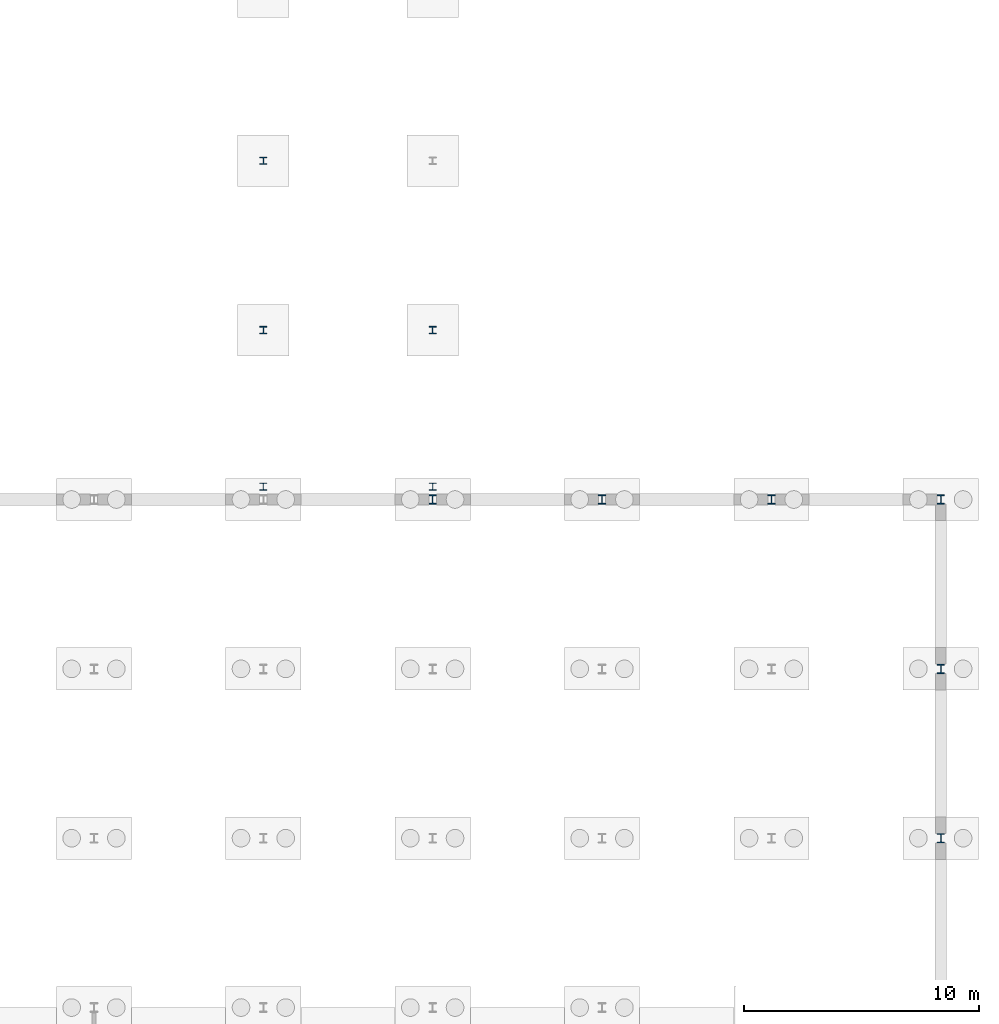
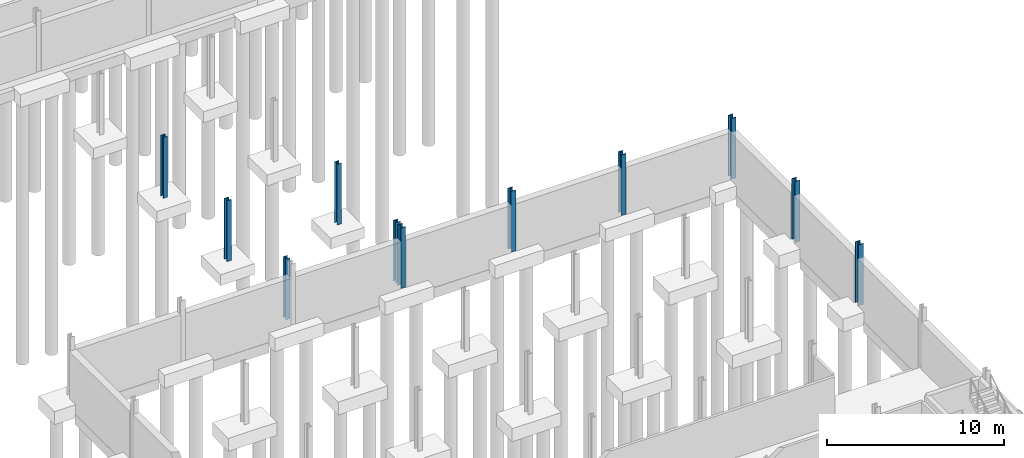
# One storey, part 25 of 50: 11 columns.
"""IFC4 building model written with IfcOpenShell, lengths in metres."""

from ifc_helpers import new_model, si_unit, direction, frame, origin, origin_2d, place, context, subcontext, project, spatial, i_section, extrude, material, material_profile, profile_set, type_object, element, save


model = new_model("IFC4")

# Units and contexts
model_context = context("Model", 3, precision=1e-05, world=origin(), true_north=direction((0.0, 1.0)))
body_context = subcontext(model_context, "Body", "Model", "MODEL_VIEW")
ifc_project = project(units=[si_unit("LENGTHUNIT", "METRE"), si_unit("AREAUNIT", "SQUARE_METRE"), si_unit("VOLUMEUNIT", "CUBIC_METRE"), si_unit("PLANEANGLEUNIT", "RADIAN"), si_unit("MASSUNIT", "GRAM", prefix="KILO")], contexts=[model_context])

# Site, building, storey
site_placement = place(None, origin())
site = spatial("IfcSite", under=ifc_project, at=site_placement, CompositionType="ELEMENT")
building_placement = place(site_placement, origin())
building = spatial("IfcBuilding", under=site, at=building_placement, Name="Narikvali Park Central Library", CompositionType="ELEMENT")
storey_placement = place(building_placement, frame((0.0, 0.0, -4.199951171875)))
storey = spatial("IfcBuildingStorey", under=building, at=storey_placement, Name="B1", CompositionType="ELEMENT", Elevation=-4.199951171875)

# Columns
ifc_material = material(Name="Steel S355", Category="steel")
ifc_material_profile_1 = material_profile(ifc_material, i_section(OverallWidth=0.2880859375, OverallDepth=0.31005859375, WebThickness=0.0185546875, FlangeThickness=0.032958984375, FilletRadius=0.02392578125, at=origin_2d()), Name="HEM 280")
ifc_profile_set_1 = profile_set([ifc_material_profile_1], Name="Steel S355")
column_type_1 = type_object("IfcColumnType", Name="Bridge Heavy Pier HEM280", PredefinedType="COLUMN", material=ifc_profile_set_1)
for number, where, z_axis, x_axis, name in (
    (1, (136.800048828125, 57.60009765625, 0.0), (0.0, 0.0, 1.0), (1.0, 0.0, 0.0), "BRG-4 Bridge Pier B1"),
    (2, (144.0, 57.60009765625, 0.0), (0.0, 0.0, 1.0), (1.0, 0.0, 0.0), "BRG-4 Bridge Pier B1"),
    (3, (136.800048828125, 64.800048828125, 0.0), (0.0, 0.0, 1.0), (1.0, 0.0, 0.0), "BRG-4 Bridge Pier B1"),
):
    element("IfcColumn", number, at=place(storey_placement, frame(where, z_axis=z_axis, x_axis=x_axis)), inside=storey, type_object=column_type_1, Name=name, PredefinedType="COLUMN", context=body_context, shape_type="SweptSolid", body=[
        extrude(i_section(OverallWidth=0.2880859375, OverallDepth=0.31005859375, WebThickness=0.0185546875, FlangeThickness=0.032958984375, FilletRadius=0.02392578125, at=origin_2d()), origin(), (0.0, 0.0, 1.0), 4.199951171875),
    ])
ifc_material_profile_2 = material_profile(ifc_material, i_section(OverallWidth=0.300048828125, OverallDepth=0.300048828125, WebThickness=0.010986328125, FlangeThickness=0.01904296875, FilletRadius=0.027099609375, at=origin_2d()), Name="HEB 300")
ifc_profile_set_2 = profile_set([ifc_material_profile_2], Name="Steel S355")
column_type_2 = type_object("IfcColumnType", Name="Steel Column HEB300", PredefinedType="COLUMN", material=ifc_profile_set_2)
for number, where, z_axis, x_axis, name in (
    (4, (136.800048828125, 50.949951171875, 0.0), (0.0, 0.0, 1.0), (1.0, 0.0, 0.0), "BRG-4 Bridge Pier B1"),
    (5, (144.0, 50.949951171875, 0.0), (0.0, 0.0, 1.0), (1.0, 0.0, 0.0), "BRG-4 Bridge Pier B1"),
):
    element("IfcColumn", number, at=place(storey_placement, frame(where, z_axis=z_axis, x_axis=x_axis)), inside=storey, type_object=column_type_2, Name=name, PredefinedType="COLUMN", context=body_context, shape_type="SweptSolid", body=[
        extrude(i_section(OverallWidth=0.300048828125, OverallDepth=0.300048828125, WebThickness=0.010986328125, FlangeThickness=0.01904296875, FilletRadius=0.027099609375, at=origin_2d()), origin(), (0.0, 0.0, 1.0), 4.199951171875),
    ])
ifc_material_profile_3 = material_profile(ifc_material, i_section(OverallWidth=0.30810546875, OverallDepth=0.39501953125, WebThickness=0.02099609375, FlangeThickness=0.035888671875, FilletRadius=0.027099609375, at=origin_2d()), Name="HEM 360")
ifc_profile_set_3 = profile_set([ifc_material_profile_3], Name="Steel S355")
column_type_3 = type_object("IfcColumnType", Name="Steel Column HEM360", PredefinedType="COLUMN", material=ifc_profile_set_3)
for number, where, z_axis, x_axis, name in (
    (6, (144.0, 50.39990234375, 0.0), (0.0, 0.0, 1.0), (1.0, 0.0, 0.0), "V6 B1 Foundation Column (144.0,50.4)"),
    (7, (151.199951171875, 50.39990234375, 0.0), (0.0, 0.0, 1.0), (1.0, 0.0, 0.0), "V6 B1 Foundation Column (151.2,50.4)"),
    (8, (158.39990234375, 50.39990234375, 0.0), (0.0, 0.0, 1.0), (1.0, 0.0, 0.0), "V6 B1 Foundation Column (158.4,50.4)"),
    (9, (165.60009765625, 36.0, 0.0), (0.0, 0.0, 1.0), (1.0, 0.0, 0.0), "V6 B1 Foundation Column (165.6,36.0)"),
    (10, (165.60009765625, 43.199951171875, 0.0), (0.0, 0.0, 1.0), (1.0, 0.0, 0.0), "V6 B1 Foundation Column (165.6,43.2)"),
    (11, (165.60009765625, 50.39990234375, 0.0), (0.0, 0.0, 1.0), (1.0, 0.0, 0.0), "V6 B1 Foundation Column (165.6,50.4)"),
):
    element("IfcColumn", number, at=place(storey_placement, frame(where, z_axis=z_axis, x_axis=x_axis)), inside=storey, type_object=column_type_3, Name=name, PredefinedType="COLUMN", context=body_context, shape_type="SweptSolid", body=[
        extrude(i_section(OverallWidth=0.30810546875, OverallDepth=0.39501953125, WebThickness=0.02099609375, FlangeThickness=0.035888671875, FilletRadius=0.027099609375, at=origin_2d()), origin(), (0.0, 0.0, 1.0), 4.199951171875),
    ])

save(model, "model.ifc")
